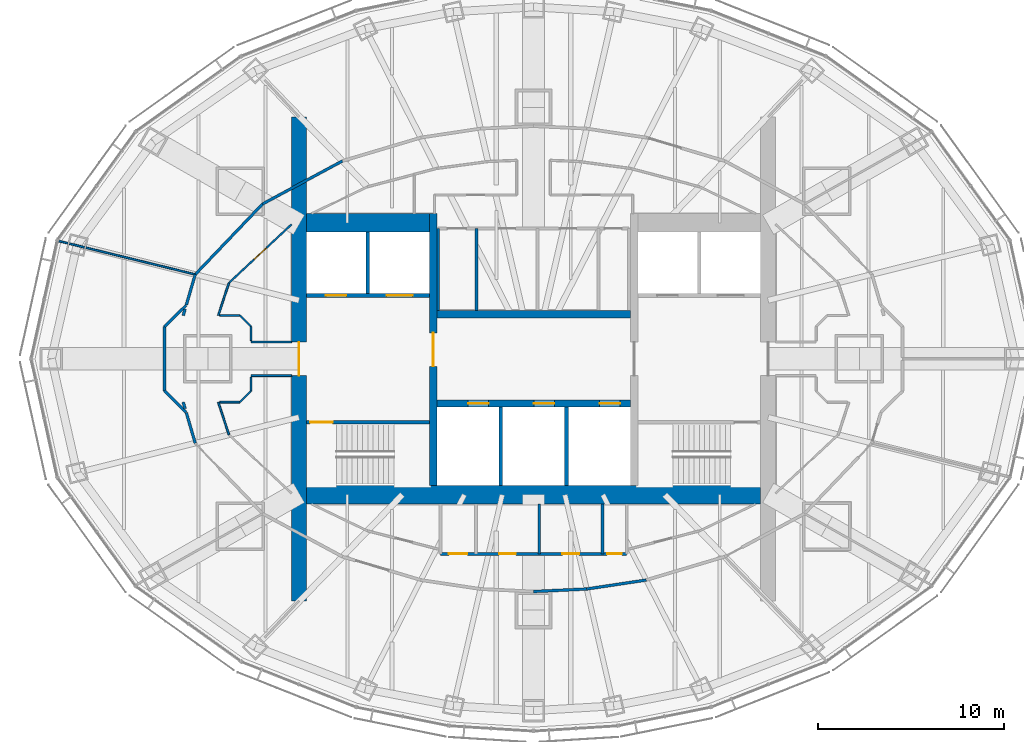
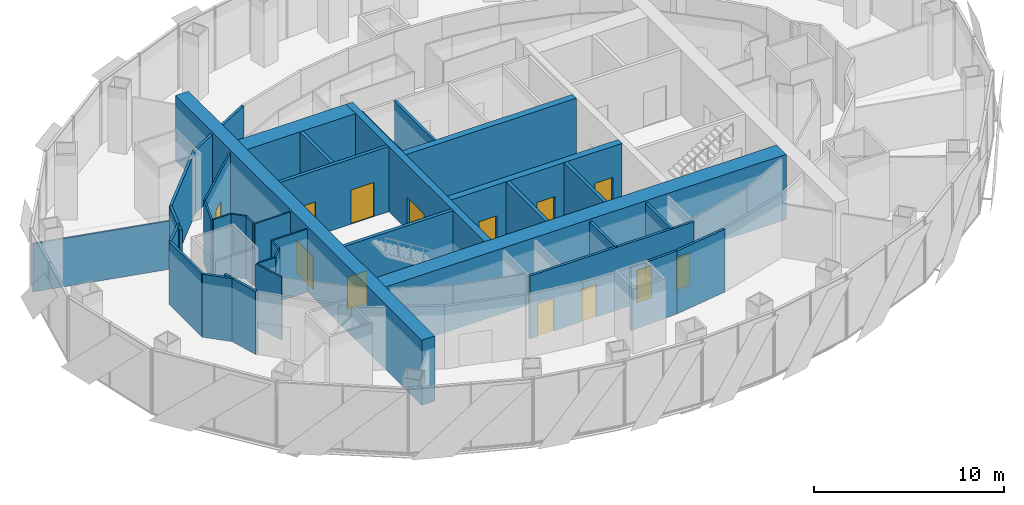
# One storey, part 12 of 17: 39 walls, 13 doors, 13 openings.
"""IFC4 building model written with IfcOpenShell, lengths in metres."""

from ifc_helpers import new_model, si_unit, direction, frame, frame_2d, origin, place, context, subcontext, project, spatial, rectangle, extrude, material, layer, layer_set, type_object, element, fill, save


model = new_model("IFC4")

# Units and contexts
model_context = context("Model", 3, precision=1e-05, world=origin(), true_north=direction((0.0, 1.0)))
body_context = subcontext(model_context, "Body", "Model", "MODEL_VIEW")
ifc_project = project(units=[si_unit("LENGTHUNIT", "METRE"), si_unit("AREAUNIT", "SQUARE_METRE"), si_unit("VOLUMEUNIT", "CUBIC_METRE"), si_unit("PLANEANGLEUNIT", "RADIAN"), si_unit("MASSUNIT", "GRAM", prefix="KILO")], contexts=[model_context])

# Site, building, storey
site_placement = place(None, origin())
site = spatial("IfcSite", under=ifc_project, at=site_placement, CompositionType="ELEMENT")
building_placement = place(site_placement, origin())
building = spatial("IfcBuilding", under=site, at=building_placement, Name="Lantaw Convention Tower", CompositionType="ELEMENT")
storey_placement = place(building_placement, frame((0.0, 0.0, 203.199951171875)))
storey = spatial("IfcBuildingStorey", under=building, at=storey_placement, Name="L47", CompositionType="ELEMENT", Elevation=203.199951171875)

# Walls
ifc_material_1 = material(Name="Concrete C60/75", Category="concrete")
ifc_layer_1 = layer(ifc_material_1, 1.0)
ifc_layer_set_1 = layer_set([ifc_layer_1], Name="Core wall 1000")
wall_type_1 = type_object("IfcWallType", Name="Core wall 1000", PredefinedType="SHEAR", material=ifc_layer_set_1)
wall_1_placement = place(storey_placement, frame((-12.199951171875, -7.300048828125, 0.0), z_axis=(0.0, 0.0, 1.0), x_axis=(1.0, 0.0, 0.0)))
element("IfcWall", 1, at=wall_1_placement, inside=storey, type_object=wall_type_1, Name="Core wall S", PredefinedType="SHEAR", context=body_context, shape_type="SweptSolid", body=[
    extrude(rectangle(XDim=24.39990234375, YDim=1.0, at=frame_2d((12.199951171875, 0.0))), origin(), (0.0, 0.0, 1.0), 4.199951171875),
])
wall_2_placement = place(storey_placement, frame((-5.60009765625, 7.300048828125, 0.0), z_axis=(0.0, 0.0, 1.0), x_axis=(-1.0, 0.0, 0.0)))
element("IfcWall", 2, at=wall_2_placement, inside=storey, type_object=wall_type_1, Name="Core wall NW", PredefinedType="SHEAR", context=body_context, shape_type="SweptSolid", body=[
    extrude(rectangle(XDim=6.599853515625, YDim=1.0, at=frame_2d((3.2998046875, 0.0))), origin(), (0.0, 0.0, 1.0), 4.199951171875),
])

# Wall, opening, door
ifc_layer_2 = layer(ifc_material_1, 0.199951171875)
ifc_layer_set_2 = layer_set([ifc_layer_2], Name="Core wall 200")
wall_type_2 = type_object("IfcWallType", Name="Core wall 200", PredefinedType="SHEAR", material=ifc_layer_set_2)
wall_3_placement = place(storey_placement, frame((-5.60009765625, -3.39990234375, 0.0), z_axis=(0.0, 0.0, 1.0), x_axis=(-1.0, 0.0, 0.0)))
wall_3 = element("IfcWall", 3, at=wall_3_placement, inside=storey, type_object=wall_type_2, Name="Core wall WS", PredefinedType="SHEAR", context=body_context, shape_type="SweptSolid", body=[
    extrude(rectangle(XDim=6.599853515625, YDim=0.199951171875, at=frame_2d((3.2998046875, 0.0))), origin(), (0.0, 0.0, 1.0), 4.199951171875),
])
opening_1_placement = place(wall_3_placement, frame((5.199951171875, 0.0, 0.0)))
opening_1 = element("IfcOpeningElement", 4, at=opening_1_placement, cuts=wall_3, Name="Opening L47.04", PredefinedType="OPENING", context=body_context, shape_type="SweptSolid", body=[
    extrude(rectangle(XDim=1.199951171875, YDim=2.10009765625, at=frame_2d((0.60009765625, 1.050048828125))), frame((0.0, 0.10986328125, 0.0), z_axis=(0.0, -1.0, 0.0), x_axis=(1.0, 0.0, 0.0)), (0.0, 0.0, 1.0), 0.219970703125),
])
ifc_material_2 = material(Name="Steel, fire rated", Category="steel")
door_type_1 = type_object("IfcDoorType", Name="Stair door FD90", OperationType="SINGLE_SWING_RIGHT", PredefinedType="DOOR", material=ifc_material_2)
door_1_placement = place(opening_1_placement, origin())
door_1 = element("IfcDoor", 5, at=door_1_placement, inside=storey, type_object=door_type_1, Name="Exit stair door", OperationType="SINGLE_SWING_RIGHT", OverallHeight=2.10009765625, OverallWidth=1.199951171875, PredefinedType="DOOR", context=body_context, shape_type="SweptSolid", body=[
    extrude(rectangle(XDim=1.199951171875, YDim=2.10009765625, at=frame_2d((0.60009765625, 1.050048828125))), frame((0.0, 0.02490234375, 0.0), z_axis=(0.0, -1.0, 0.0), x_axis=(1.0, 0.0, 0.0)), (0.0, 0.0, 1.0), 0.050048828125),
])
fill(opening_1, door_1)

ifc_layer_3 = layer(ifc_material_1, 0.39990234375)
ifc_layer_set_3 = layer_set([ifc_layer_3], Name="Core wall 400")
wall_type_3 = type_object("IfcWallType", Name="Core wall 400", PredefinedType="SHEAR", material=ifc_layer_set_3)
wall_4_placement = place(storey_placement, frame((-5.39990234375, 7.800048828125, 0.0), z_axis=(0.0, 0.0, 1.0), x_axis=(0.0, -1.0, 0.0)))
wall_4 = element("IfcWall", 6, at=wall_4_placement, inside=storey, type_object=wall_type_3, Name="Core wall XW", PredefinedType="SHEAR", context=body_context, shape_type="SweptSolid", body=[
    extrude(rectangle(XDim=14.60009765625, YDim=0.39990234375, at=frame_2d((7.300048828125, 0.0))), origin(), (0.0, 0.0, 1.0), 4.199951171875),
])
opening_2_placement = place(wall_4_placement, frame((6.39990234375, 0.0, 0.0)))
opening_2 = element("IfcOpeningElement", 7, at=opening_2_placement, cuts=wall_4, Name="Opening L47.02", PredefinedType="OPENING", context=body_context, shape_type="SweptSolid", body=[
    extrude(rectangle(XDim=1.800048828125, YDim=2.10009765625, at=frame_2d((0.89990234375, 1.050048828125))), frame((0.0, 0.2099609375, 0.0), z_axis=(0.0, -1.0, 0.0), x_axis=(1.0, 0.0, 0.0)), (0.0, 0.0, 1.0), 0.419921875),
])
door_type_2 = type_object("IfcDoorType", Name="Lobby double door FD90", OperationType="DOUBLE_DOOR_DOUBLE_SWING", PredefinedType="DOOR", material=ifc_material_2)
door_2_placement = place(opening_2_placement, origin())
door_2 = element("IfcDoor", 8, at=door_2_placement, inside=storey, type_object=door_type_2, Name="Lift lobby door", OperationType="DOUBLE_DOOR_DOUBLE_SWING", OverallHeight=2.10009765625, OverallWidth=1.800048828125, PredefinedType="DOOR", context=body_context, shape_type="SweptSolid", body=[
    extrude(rectangle(XDim=1.800048828125, YDim=2.10009765625, at=frame_2d((0.89990234375, 1.050048828125))), frame((0.0, 0.02490234375, 0.0), z_axis=(0.0, -1.0, 0.0), x_axis=(1.0, 0.0, 0.0)), (0.0, 0.0, 1.0), 0.050048828125),
])
fill(opening_2, door_2)

# Wall, openings, doors
wall_5_placement = place(storey_placement, frame((-5.199951171875, -2.39990234375, 0.0), z_axis=(0.0, 0.0, 1.0), x_axis=(1.0, 0.0, 0.0)))
wall_5 = element("IfcWall", 9, at=wall_5_placement, inside=storey, type_object=wall_type_3, Name="Core wall BS", PredefinedType="SHEAR", context=body_context, shape_type="SweptSolid", body=[
    extrude(rectangle(XDim=10.39990234375, YDim=0.39990234375, at=frame_2d((5.199951171875, 0.0))), origin(), (0.0, 0.0, 1.0), 4.199951171875),
])
opening_3_placement = place(wall_5_placement, frame((1.683349609375, 0.0, 0.0)))
opening_3 = element("IfcOpeningElement", 10, at=opening_3_placement, cuts=wall_5, Name="Opening L47.07", PredefinedType="OPENING", context=body_context, shape_type="SweptSolid", body=[
    extrude(rectangle(XDim=1.10009765625, YDim=2.199951171875, at=frame_2d((0.550048828125, 1.10009765625))), frame((0.0, 0.2099609375, 0.0), z_axis=(0.0, -1.0, 0.0), x_axis=(1.0, 0.0, 0.0)), (0.0, 0.0, 1.0), 0.419921875),
])
opening_4_placement = place(wall_5_placement, frame((5.216796875, 0.0, 0.0)))
opening_4 = element("IfcOpeningElement", 11, at=opening_4_placement, cuts=wall_5, Name="Opening L47.08", PredefinedType="OPENING", context=body_context, shape_type="SweptSolid", body=[
    extrude(rectangle(XDim=1.10009765625, YDim=2.199951171875, at=frame_2d((0.550048828125, 1.10009765625))), frame((0.0, 0.2099609375, 0.0), z_axis=(0.0, -1.0, 0.0), x_axis=(1.0, 0.0, 0.0)), (0.0, 0.0, 1.0), 0.419921875),
])
opening_5_placement = place(wall_5_placement, frame((8.75, 0.0, 0.0)))
opening_5 = element("IfcOpeningElement", 12, at=opening_5_placement, cuts=wall_5, Name="Opening L47.09", PredefinedType="OPENING", context=body_context, shape_type="SweptSolid", body=[
    extrude(rectangle(XDim=1.10009765625, YDim=2.199951171875, at=frame_2d((0.550048828125, 1.10009765625))), frame((0.0, 0.2099609375, 0.0), z_axis=(0.0, -1.0, 0.0), x_axis=(1.0, 0.0, 0.0)), (0.0, 0.0, 1.0), 0.419921875),
])
ifc_material_3 = material(Name="Stainless steel", Category="steel")
door_type_3 = type_object("IfcDoorType", Name="Lift landing door 1100", OperationType="DOUBLE_DOOR_SLIDING", PredefinedType="DOOR", material=ifc_material_3)
door_3_placement = place(opening_3_placement, origin())
door_3 = element("IfcDoor", 13, at=door_3_placement, inside=storey, type_object=door_type_3, Name="Lift landing door S1", OperationType="DOUBLE_DOOR_SLIDING", OverallHeight=2.199951171875, OverallWidth=1.10009765625, PredefinedType="DOOR", context=body_context, shape_type="SweptSolid", body=[
    extrude(rectangle(XDim=1.10009765625, YDim=2.199951171875, at=frame_2d((0.550048828125, 1.10009765625))), frame((0.0, 0.02490234375, 0.0), z_axis=(0.0, -1.0, 0.0), x_axis=(1.0, 0.0, 0.0)), (0.0, 0.0, 1.0), 0.050048828125),
])
fill(opening_3, door_3)
door_4_placement = place(opening_4_placement, origin())
door_4 = element("IfcDoor", 14, at=door_4_placement, inside=storey, type_object=door_type_3, Name="Lift landing door S2", OperationType="DOUBLE_DOOR_SLIDING", OverallHeight=2.199951171875, OverallWidth=1.10009765625, PredefinedType="DOOR", context=body_context, shape_type="SweptSolid", body=[
    extrude(rectangle(XDim=1.10009765625, YDim=2.199951171875, at=frame_2d((0.550048828125, 1.10009765625))), frame((0.0, 0.02490234375, 0.0), z_axis=(0.0, -1.0, 0.0), x_axis=(1.0, 0.0, 0.0)), (0.0, 0.0, 1.0), 0.050048828125),
])
fill(opening_4, door_4)
door_5_placement = place(opening_5_placement, origin())
door_5 = element("IfcDoor", 15, at=door_5_placement, inside=storey, type_object=door_type_3, Name="Lift landing door S3", OperationType="DOUBLE_DOOR_SLIDING", OverallHeight=2.199951171875, OverallWidth=1.10009765625, PredefinedType="DOOR", context=body_context, shape_type="SweptSolid", body=[
    extrude(rectangle(XDim=1.10009765625, YDim=2.199951171875, at=frame_2d((0.550048828125, 1.10009765625))), frame((0.0, 0.02490234375, 0.0), z_axis=(0.0, -1.0, 0.0), x_axis=(1.0, 0.0, 0.0)), (0.0, 0.0, 1.0), 0.050048828125),
])
fill(opening_5, door_5)

# Wall
wall_6_placement = place(storey_placement, frame((5.199951171875, 2.39990234375, 0.0), z_axis=(0.0, 0.0, 1.0), x_axis=(-1.0, 0.0, 0.0)))
element("IfcWall", 16, at=wall_6_placement, inside=storey, type_object=wall_type_3, Name="Core wall BN", PredefinedType="SHEAR", context=body_context, shape_type="SweptSolid", body=[
    extrude(rectangle(XDim=10.39990234375, YDim=0.39990234375, at=frame_2d((5.199951171875, 0.0))), origin(), (0.0, 0.0, 1.0), 4.199951171875),
])

# Wall, opening, door
ifc_layer_4 = layer(ifc_material_1, 0.800048828125)
ifc_layer_set_4 = layer_set([ifc_layer_4], Name="Core wall 800")
wall_type_4 = type_object("IfcWallType", Name="Core wall 800", PredefinedType="SHEAR", material=ifc_layer_set_4)
wall_7_placement = place(storey_placement, frame((-12.60009765625, 13.0, 0.0), z_axis=(0.0, 0.0, 1.0), x_axis=(0.0, -1.0, 0.0)))
wall_7 = element("IfcWall", 17, at=wall_7_placement, inside=storey, type_object=wall_type_4, Name="Core wall W", PredefinedType="SHEAR", context=body_context, shape_type="SweptSolid", body=[
    extrude(rectangle(XDim=26.0, YDim=0.800048828125, at=frame_2d((13.0, 0.0))), origin(), (0.0, 0.0, 1.0), 4.199951171875),
])
opening_6_placement = place(wall_7_placement, frame((12.10009765625, 0.0, 0.0)))
opening_6 = element("IfcOpeningElement", 18, at=opening_6_placement, cuts=wall_7, Name="Opening L47.06", PredefinedType="OPENING", context=body_context, shape_type="SweptSolid", body=[
    extrude(rectangle(XDim=1.800048828125, YDim=2.10009765625, at=frame_2d((0.89990234375, 1.050048828125))), frame((0.0, 0.409912109375, 0.0), z_axis=(0.0, -1.0, 0.0), x_axis=(1.0, 0.0, 0.0)), (0.0, 0.0, 1.0), 0.820068359375),
])
door_6_placement = place(opening_6_placement, origin())
door_6 = element("IfcDoor", 19, at=door_6_placement, inside=storey, type_object=door_type_2, Name="Firefighting lobby door", OperationType="DOUBLE_DOOR_DOUBLE_SWING", OverallHeight=2.10009765625, OverallWidth=1.800048828125, PredefinedType="DOOR", context=body_context, shape_type="SweptSolid", body=[
    extrude(rectangle(XDim=1.800048828125, YDim=2.10009765625, at=frame_2d((0.89990234375, 1.050048828125))), frame((0.0, 0.02490234375, 0.0), z_axis=(0.0, -1.0, 0.0), x_axis=(1.0, 0.0, 0.0)), (0.0, 0.0, 1.0), 0.050048828125),
])
fill(opening_6, door_6)

# Walls
ifc_material_4 = material(Name="Gypsum board on steel studs, fire rated", Category="steel")
ifc_layer_5 = layer(ifc_material_4, 0.14990234375)
ifc_layer_set_5 = layer_set([ifc_layer_5], Name="Corridor wall 150 EI 60")
wall_type_5 = type_object("IfcWallType", Name="Corridor wall 150 EI 60", PredefinedType="PARTITIONING", material=ifc_layer_set_5)
wall_8_placement = place(storey_placement, frame((-10.263671875, 10.62841796875, 0.0), z_axis=(0.0, 0.0, 1.0), x_axis=(-0.88053863253, -0.47397438393, 0.0)))
element("IfcWall", 20, at=wall_8_placement, inside=storey, type_object=wall_type_5, Name="Corridor wall 150", PredefinedType="PARTITIONING", context=body_context, shape_type="SweptSolid", body=[
    extrude(rectangle(XDim=4.874755859375, YDim=0.14990234375, at=frame_2d((2.4375, 0.0))), origin(), (0.0, 0.0, 1.0), 4.050048828125),
])
wall_9_placement = place(storey_placement, frame((-14.55615234375, 8.31787109375, 0.0), z_axis=(0.0, 0.0, 1.0), x_axis=(-0.690768413292, -0.723076067366, 0.0)))
element("IfcWall", 21, at=wall_9_placement, inside=storey, type_object=wall_type_5, Name="Corridor wall 150", PredefinedType="PARTITIONING", context=body_context, shape_type="SweptSolid", body=[
    extrude(rectangle(XDim=5.23681640625, YDim=0.14990234375, at=frame_2d((2.618408203125, 0.0))), origin(), (0.0, 0.0, 1.0), 4.050048828125),
])
wall_10_placement = place(storey_placement, frame((0.0, -12.5, 0.0), z_axis=(0.0, 0.0, 1.0), x_axis=(0.998887574055, 0.047155216016, 0.0)))
element("IfcWall", 22, at=wall_10_placement, inside=storey, type_object=wall_type_5, Name="Corridor wall 150", PredefinedType="PARTITIONING", context=body_context, shape_type="SweptSolid", body=[
    extrude(rectangle(XDim=2.85791015625, YDim=0.14990234375, at=frame_2d((1.428955078125, 0.0))), origin(), (0.0, 0.0, 1.0), 4.050048828125),
])
wall_11_placement = place(storey_placement, frame((2.854736328125, -12.365234375, 0.0), z_axis=(0.0, 0.0, 1.0), x_axis=(0.988800347251, 0.149244340852, 0.0)))
element("IfcWall", 23, at=wall_11_placement, inside=storey, type_object=wall_type_5, Name="Corridor wall 150", PredefinedType="PARTITIONING", context=body_context, shape_type="SweptSolid", body=[
    extrude(rectangle(XDim=3.235595703125, YDim=0.14990234375, at=frame_2d((1.61767578125, 0.0))), origin(), (0.0, 0.0, 1.0), 4.050048828125),
])
for number, where, z_axis, x_axis, name in (
    (24, (-18.173583984375, 4.53125, 0.0), (0.0, 0.0, 1.0), (-0.281027335084, -0.959699763955, 0.0), "Corridor wall 150"),
    (25, (-18.653076171875, -2.893798828125, 0.0), (0.0, 0.0, 1.0), (0.281027335084, -0.959699763955, 0.0), "Corridor wall 150"),
):
    element("IfcWall", number, at=place(storey_placement, frame(where, z_axis=z_axis, x_axis=x_axis)), inside=storey, type_object=wall_type_5, Name=name, PredefinedType="PARTITIONING", context=body_context, shape_type="SweptSolid", body=[
        extrude(rectangle(XDim=1.706298828125, YDim=0.14990234375, at=frame_2d((0.85302734375, 0.0))), origin(), (0.0, 0.0, 1.0), 4.050048828125),
    ])
wall_12_placement = place(storey_placement, frame((-18.666259765625, -2.866455078125, 0.0), z_axis=(0.0, 0.0, 1.0), x_axis=(-0.712265481509, 0.701910167935, 0.0)))
element("IfcWall", 26, at=wall_12_placement, inside=storey, type_object=wall_type_5, Name="Corridor wall 150", PredefinedType="PARTITIONING", context=body_context, shape_type="SweptSolid", body=[
    extrude(rectangle(XDim=1.626708984375, YDim=0.14990234375, at=frame_2d((0.8134765625, 0.0))), origin(), (0.0, 0.0, 1.0), 4.050048828125),
])
wall_13_placement = place(storey_placement, frame((-19.824951171875, -1.724609375, 0.0), z_axis=(0.0, 0.0, 1.0), x_axis=(0.0, 1.0, 0.0)))
element("IfcWall", 27, at=wall_13_placement, inside=storey, type_object=wall_type_5, Name="Corridor wall 150", PredefinedType="PARTITIONING", context=body_context, shape_type="SweptSolid", body=[
    extrude(rectangle(XDim=3.44921875, YDim=0.14990234375, at=frame_2d((1.724609375, 0.0))), origin(), (0.0, 0.0, 1.0), 4.050048828125),
])
wall_14_placement = place(storey_placement, frame((-19.824951171875, 1.724609375, 0.0), z_axis=(0.0, 0.0, 1.0), x_axis=(0.712265481509, 0.701910167935, 0.0)))
element("IfcWall", 28, at=wall_14_placement, inside=storey, type_object=wall_type_5, Name="Corridor wall 150", PredefinedType="PARTITIONING", context=body_context, shape_type="SweptSolid", body=[
    extrude(rectangle(XDim=1.626708984375, YDim=0.14990234375, at=frame_2d((0.8134765625, 0.0))), origin(), (0.0, 0.0, 1.0), 4.050048828125),
])
for number, where, z_axis, x_axis, name in (
    (29, (-18.71728515625, 2.673828125, 0.0), (0.0, 0.0, 1.0), (-0.281366391393, -0.959600413607, 0.0), "Corridor wall 150"),
    (30, (-18.819580078125, -2.324951171875, 0.0), (0.0, 0.0, 1.0), (0.281366391393, -0.959600413607, 0.0), "Corridor wall 150"),
):
    element("IfcWall", number, at=place(storey_placement, frame(where, z_axis=z_axis, x_axis=x_axis)), inside=storey, type_object=wall_type_5, Name=name, PredefinedType="PARTITIONING", context=body_context, shape_type="SweptSolid", body=[
        extrude(rectangle(XDim=0.363525390625, YDim=0.14990234375, at=frame_2d((0.181640625, 0.0))), origin(), (0.0, 0.0, 1.0), 4.050048828125),
    ])
ifc_material_5 = material(Name="Gypsum board on steel studs, acoustic", Category="steel")
ifc_layer_6 = layer(ifc_material_5, 0.10009765625)
ifc_layer_set_6 = layer_set([ifc_layer_6], Name="Office partition 100")
wall_type_6 = type_object("IfcWallType", Name="Office partition 100", PredefinedType="PARTITIONING", material=ifc_layer_set_6)
wall_15_placement = place(storey_placement, frame((-25.542724609375, 6.335693359375, 0.0), z_axis=(0.0, 0.0, 1.0), x_axis=(0.97130474594, -0.237838370569, 0.0)))
element("IfcWall", 31, at=wall_15_placement, inside=storey, type_object=wall_type_6, Name="Office partition 100", PredefinedType="PARTITIONING", context=body_context, shape_type="SweptSolid", body=[
    extrude(rectangle(XDim=7.5869140625, YDim=0.10009765625, at=frame_2d((3.79345703125, 0.0))), origin(), (0.0, 0.0, 1.0), 3.107666015625),
])

# Wall, opening, door
wall_16_placement = place(storey_placement, frame((-16.36279296875, 4.079833984375, 0.0), z_axis=(0.0, 0.0, 1.0), x_axis=(0.730651186567, 0.682750938167, 0.0)))
wall_16 = element("IfcWall", 32, at=wall_16_placement, inside=storey, type_object=wall_type_6, Name="Office partition 100", PredefinedType="PARTITIONING", context=body_context, shape_type="SweptSolid", body=[
    extrude(rectangle(XDim=4.6025390625, YDim=0.10009765625, at=frame_2d((2.30126953125, 0.0))), origin(), (0.0, 0.0, 1.0), 4.050048828125),
])
opening_7_placement = place(wall_16_placement, frame((1.851318359375, 0.0, 0.0)))
opening_7 = element("IfcOpeningElement", 33, at=opening_7_placement, cuts=wall_16, Name="Opening L47.30", PredefinedType="OPENING", context=body_context, shape_type="SweptSolid", body=[
    extrude(rectangle(XDim=0.89990234375, YDim=2.10009765625, at=frame_2d((0.449951171875, 1.050048828125))), frame((0.0, 0.06005859375, 0.0), z_axis=(0.0, -1.0, 0.0), x_axis=(1.0, 0.0, 0.0)), (0.0, 0.0, 1.0), 0.1201171875),
])
ifc_material_6 = material(Name="Timber", Category="wood")
door_type_4 = type_object("IfcDoorType", Name="Office door 900", OperationType="SINGLE_SWING_LEFT", PredefinedType="DOOR", material=ifc_material_6)
door_7_placement = place(opening_7_placement, origin())
door_7 = element("IfcDoor", 34, at=door_7_placement, inside=storey, type_object=door_type_4, Name="Meeting room door", OperationType="SINGLE_SWING_LEFT", OverallHeight=2.10009765625, OverallWidth=0.89990234375, PredefinedType="DOOR", context=body_context, shape_type="SweptSolid", body=[
    extrude(rectangle(XDim=0.89990234375, YDim=2.10009765625, at=frame_2d((0.449951171875, 1.050048828125))), frame((0.0, 0.02490234375, 0.0), z_axis=(0.0, -1.0, 0.0), x_axis=(1.0, 0.0, 0.0)), (0.0, 0.0, 1.0), 0.050048828125),
])
fill(opening_7, door_7)

# Walls
wall_17_placement = place(storey_placement, frame((-16.36279296875, -4.079833984375, 0.0), z_axis=(0.0, 0.0, 1.0), x_axis=(-0.311517212063, 0.950240509865, 0.0)))
element("IfcWall", 35, at=wall_17_placement, inside=storey, type_object=wall_type_6, Name="Office partition 100", PredefinedType="PARTITIONING", context=body_context, shape_type="SweptSolid", body=[
    extrude(rectangle(XDim=1.836181640625, YDim=0.10009765625, at=frame_2d((0.91796875, 0.0))), origin(), (0.0, 0.0, 1.0), 4.050048828125),
])
for number, where, z_axis, x_axis, name in (
    (36, (-15.1650390625, -0.89990234375, 0.0), (0.0, 0.0, 1.0), (1.0, 0.0, 0.0), "Office partition 100"),
    (37, (-13.0, 0.89990234375, 0.0), (0.0, 0.0, 1.0), (-1.0, 0.0, 0.0), "Office partition 100"),
):
    element("IfcWall", number, at=place(storey_placement, frame(where, z_axis=z_axis, x_axis=x_axis)), inside=storey, type_object=wall_type_6, Name=name, PredefinedType="PARTITIONING", context=body_context, shape_type="SweptSolid", body=[
        extrude(rectangle(XDim=2.1650390625, YDim=0.10009765625, at=frame_2d((1.08251953125, 0.0))), origin(), (0.0, 0.0, 1.0), 4.050048828125),
    ])
wall_18_placement = place(storey_placement, frame((-16.934814453125, 2.3349609375, 0.0), z_axis=(0.0, 0.0, 1.0), x_axis=(0.311517212063, 0.950240509865, 0.0)))
element("IfcWall", 38, at=wall_18_placement, inside=storey, type_object=wall_type_6, Name="Office partition 100", PredefinedType="PARTITIONING", context=body_context, shape_type="SweptSolid", body=[
    extrude(rectangle(XDim=1.836181640625, YDim=0.10009765625, at=frame_2d((0.91796875, 0.0))), origin(), (0.0, 0.0, 1.0), 4.050048828125),
])
wall_19_placement = place(storey_placement, frame((-15.175048828125, -0.978271484375, 0.0), z_axis=(0.0, 0.0, 1.0), x_axis=(0.0, -1.0, 0.0)))
element("IfcWall", 39, at=wall_19_placement, inside=storey, type_object=wall_type_6, Name="Office partition 100", PredefinedType="PARTITIONING", context=body_context, shape_type="SweptSolid", body=[
    extrude(rectangle(XDim=0.746337890625, YDim=0.10009765625, at=frame_2d((0.373046875, 0.0))), origin(), (0.0, 0.0, 1.0), 4.050048828125),
])
wall_20_placement = place(storey_placement, frame((-15.175048828125, -1.724609375, 0.0), z_axis=(0.0, 0.0, 1.0), x_axis=(-0.707106781187, -0.707106781187, 0.0)))
element("IfcWall", 40, at=wall_20_placement, inside=storey, type_object=wall_type_6, Name="Office partition 100", PredefinedType="PARTITIONING", context=body_context, shape_type="SweptSolid", body=[
    extrude(rectangle(XDim=0.84912109375, YDim=0.10009765625, at=frame_2d((0.424560546875, 0.0))), origin(), (0.0, 0.0, 1.0), 4.050048828125),
])
for number, where, z_axis, x_axis, name in (
    (41, (-15.775390625, -2.324951171875, 0.0), (0.0, 0.0, 1.0), (-1.0, 0.0, 0.0), "Office partition 100"),
    (42, (-16.853759765625, 2.324951171875, 0.0), (0.0, 0.0, 1.0), (1.0, 0.0, 0.0), "Office partition 100"),
):
    element("IfcWall", number, at=place(storey_placement, frame(where, z_axis=z_axis, x_axis=x_axis)), inside=storey, type_object=wall_type_6, Name=name, PredefinedType="PARTITIONING", context=body_context, shape_type="SweptSolid", body=[
        extrude(rectangle(XDim=1.078369140625, YDim=0.10009765625, at=frame_2d((0.5390625, 0.0))), origin(), (0.0, 0.0, 1.0), 4.050048828125),
    ])
wall_21_placement = place(storey_placement, frame((-15.775390625, 2.324951171875, 0.0), z_axis=(0.0, 0.0, 1.0), x_axis=(0.707106781187, -0.707106781187, 0.0)))
element("IfcWall", 43, at=wall_21_placement, inside=storey, type_object=wall_type_6, Name="Office partition 100", PredefinedType="PARTITIONING", context=body_context, shape_type="SweptSolid", body=[
    extrude(rectangle(XDim=0.84912109375, YDim=0.10009765625, at=frame_2d((0.424560546875, 0.0))), origin(), (0.0, 0.0, 1.0), 4.050048828125),
])
wall_22_placement = place(storey_placement, frame((-15.175048828125, 1.724609375, 0.0), z_axis=(0.0, 0.0, 1.0), x_axis=(0.0, -1.0, 0.0)))
element("IfcWall", 44, at=wall_22_placement, inside=storey, type_object=wall_type_6, Name="Office partition 100", PredefinedType="PARTITIONING", context=body_context, shape_type="SweptSolid", body=[
    extrude(rectangle(XDim=0.746337890625, YDim=0.10009765625, at=frame_2d((0.373046875, 0.0))), origin(), (0.0, 0.0, 1.0), 4.050048828125),
])

# Wall, openings, doors
ifc_material_7 = material(Name="Concrete blockwork, fire rated", Category="masonry")
ifc_layer_7 = layer(ifc_material_7, 0.199951171875)
ifc_layer_set_7 = layer_set([ifc_layer_7], Name="Shaft wall 200")
wall_type_7 = type_object("IfcWallType", Name="Shaft wall 200", PredefinedType="SOLIDWALL", material=ifc_layer_set_7)
wall_23_placement = place(storey_placement, frame((-12.199951171875, 3.39990234375, 0.0), z_axis=(0.0, 0.0, 1.0), x_axis=(1.0, 0.0, 0.0)))
wall_23 = element("IfcWall", 45, at=wall_23_placement, inside=storey, type_object=wall_type_7, Name="Shaft wall WN", PredefinedType="SOLIDWALL", context=body_context, shape_type="SweptSolid", body=[
    extrude(rectangle(XDim=6.599853515625, YDim=0.199951171875, at=frame_2d((3.2998046875, 0.0))), origin(), (0.0, 0.0, 1.0), 4.199951171875),
])
opening_8_placement = place(wall_23_placement, frame((1.050048828125, 0.0, 0.0)))
opening_8 = element("IfcOpeningElement", 46, at=opening_8_placement, cuts=wall_23, Name="Opening L47.10", PredefinedType="OPENING", context=body_context, shape_type="SweptSolid", body=[
    extrude(rectangle(XDim=1.10009765625, YDim=2.199951171875, at=frame_2d((0.550048828125, 1.10009765625))), frame((0.0, 0.10986328125, 0.0), z_axis=(0.0, -1.0, 0.0), x_axis=(1.0, 0.0, 0.0)), (0.0, 0.0, 1.0), 0.219970703125),
])
opening_9_placement = place(wall_23_placement, frame((4.300048828125, 0.0, 0.0)))
opening_9 = element("IfcOpeningElement", 47, at=opening_9_placement, cuts=wall_23, Name="Opening L47.11", PredefinedType="OPENING", context=body_context, shape_type="SweptSolid", body=[
    extrude(rectangle(XDim=1.39990234375, YDim=2.199951171875, at=frame_2d((0.699951171875, 1.10009765625))), frame((0.0, 0.10986328125, 0.0), z_axis=(0.0, -1.0, 0.0), x_axis=(1.0, 0.0, 0.0)), (0.0, 0.0, 1.0), 0.219970703125),
])
door_8_placement = place(opening_8_placement, origin())
door_8 = element("IfcDoor", 48, at=door_8_placement, inside=storey, type_object=door_type_3, Name="Lift landing door FF1", OperationType="DOUBLE_DOOR_SLIDING", OverallHeight=2.199951171875, OverallWidth=1.10009765625, PredefinedType="DOOR", context=body_context, shape_type="SweptSolid", body=[
    extrude(rectangle(XDim=1.10009765625, YDim=2.199951171875, at=frame_2d((0.550048828125, 1.10009765625))), frame((0.0, 0.02490234375, 0.0), z_axis=(0.0, -1.0, 0.0), x_axis=(1.0, 0.0, 0.0)), (0.0, 0.0, 1.0), 0.050048828125),
])
fill(opening_8, door_8)
door_type_5 = type_object("IfcDoorType", Name="Lift landing door 1400", OperationType="DOUBLE_DOOR_SLIDING", PredefinedType="DOOR", material=ifc_material_3)
door_9_placement = place(opening_9_placement, origin())
door_9 = element("IfcDoor", 49, at=door_9_placement, inside=storey, type_object=door_type_5, Name="Lift landing door SV1", OperationType="DOUBLE_DOOR_SLIDING", OverallHeight=2.199951171875, OverallWidth=1.39990234375, PredefinedType="DOOR", context=body_context, shape_type="SweptSolid", body=[
    extrude(rectangle(XDim=1.39990234375, YDim=2.199951171875, at=frame_2d((0.699951171875, 1.10009765625))), frame((0.0, 0.02490234375, 0.0), z_axis=(0.0, -1.0, 0.0), x_axis=(1.0, 0.0, 0.0)), (0.0, 0.0, 1.0), 0.050048828125),
])
fill(opening_9, door_9)

# Walls
wall_24_placement = place(storey_placement, frame((-8.89990234375, 3.5, 0.0), z_axis=(0.0, 0.0, 1.0), x_axis=(0.0, 1.0, 0.0)))
element("IfcWall", 50, at=wall_24_placement, inside=storey, type_object=wall_type_7, Name="Shaft wall WD", PredefinedType="SOLIDWALL", context=body_context, shape_type="SweptSolid", body=[
    extrude(rectangle(XDim=3.300048828125, YDim=0.199951171875, at=frame_2d((1.64990234375, 0.0))), origin(), (0.0, 0.0, 1.0), 4.199951171875),
])
ifc_layer_8 = layer(ifc_material_7, 0.199951171875)
ifc_layer_set_8 = layer_set([ifc_layer_8], Name="Shaft wall 200 load-bearing")
wall_type_8 = type_object("IfcWallType", Name="Shaft wall 200 load-bearing", PredefinedType="SOLIDWALL", material=ifc_layer_set_8)
for number, where, z_axis, x_axis, name in (
    (51, (-1.7666015625, -2.60009765625, 0.0), (0.0, 0.0, 1.0), (0.0, -1.0, 0.0), "Shaft wall DS1"),
    (52, (1.7666015625, -2.60009765625, 0.0), (0.0, 0.0, 1.0), (0.0, -1.0, 0.0), "Shaft wall DS2"),
):
    element("IfcWall", number, at=place(storey_placement, frame(where, z_axis=z_axis, x_axis=x_axis)), inside=storey, type_object=wall_type_8, Name=name, PredefinedType="SOLIDWALL", context=body_context, shape_type="SweptSolid", body=[
        extrude(rectangle(XDim=4.199951171875, YDim=0.199951171875, at=frame_2d((2.10009765625, 0.0))), origin(), (0.0, 0.0, 1.0), 4.199951171875),
    ])
ifc_material_8 = material(Name="Concrete blockwork", Category="masonry")
ifc_layer_9 = layer(ifc_material_8, 0.14990234375)
ifc_layer_set_9 = layer_set([ifc_layer_9], Name="WC wall 150")
wall_type_9 = type_object("IfcWallType", Name="WC wall 150", PredefinedType="SOLIDWALL", material=ifc_layer_set_9)
for number, where, z_axis, x_axis, name in (
    (53, (-5.1201171875, 2.60009765625, 0.0), (0.0, 0.0, 1.0), (0.0, 1.0, 0.0), "WC wall 150"),
    (54, (-3.072021484375, 2.60009765625, 0.0), (0.0, 0.0, 1.0), (0.0, 1.0, 0.0), "WC wall 150"),
):
    element("IfcWall", number, at=place(storey_placement, frame(where, z_axis=z_axis, x_axis=x_axis)), inside=storey, type_object=wall_type_9, Name=name, PredefinedType="SOLIDWALL", context=body_context, shape_type="SweptSolid", body=[
        extrude(rectangle(XDim=4.39990234375, YDim=0.14990234375, at=frame_2d((2.199951171875, 0.0))), origin(), (0.0, 0.0, 1.0), 4.050048828125),
    ])

# Wall, openings, doors
wall_25_placement = place(storey_placement, frame((-5.0, -10.48193359375, 0.0), z_axis=(0.0, 0.0, 1.0), x_axis=(1.0, 0.0, 0.0)))
wall_25 = element("IfcWall", 55, at=wall_25_placement, inside=storey, type_object=wall_type_9, Name="WC wall 150", PredefinedType="SOLIDWALL", context=body_context, shape_type="SweptSolid", body=[
    extrude(rectangle(XDim=10.0, YDim=0.14990234375, at=frame_2d((5.0, 0.0))), origin(), (0.0, 0.0, 1.0), 4.050048828125),
])
opening_10_placement = place(wall_25_placement, frame((0.449951171875, 0.0, 0.0)))
opening_10 = element("IfcOpeningElement", 56, at=opening_10_placement, cuts=wall_25, Name="Opening L47.18", PredefinedType="OPENING", context=body_context, shape_type="SweptSolid", body=[
    extrude(rectangle(XDim=1.0, YDim=2.10009765625, at=frame_2d((0.5, 1.050048828125))), frame((0.0, 0.0849609375, 0.0), z_axis=(0.0, -1.0, 0.0), x_axis=(1.0, 0.0, 0.0)), (0.0, 0.0, 1.0), 0.169921875),
])
opening_11_placement = place(wall_25_placement, frame((3.14990234375, 0.0, 0.0)))
opening_11 = element("IfcOpeningElement", 57, at=opening_11_placement, cuts=wall_25, Name="Opening L47.19", PredefinedType="OPENING", context=body_context, shape_type="SweptSolid", body=[
    extrude(rectangle(XDim=0.89990234375, YDim=2.10009765625, at=frame_2d((0.449951171875, 1.050048828125))), frame((0.0, 0.0849609375, 0.0), z_axis=(0.0, -1.0, 0.0), x_axis=(1.0, 0.0, 0.0)), (0.0, 0.0, 1.0), 0.169921875),
])
opening_12_placement = place(wall_25_placement, frame((6.550048828125, 0.0, 0.0)))
opening_12 = element("IfcOpeningElement", 58, at=opening_12_placement, cuts=wall_25, Name="Opening L47.20", PredefinedType="OPENING", context=body_context, shape_type="SweptSolid", body=[
    extrude(rectangle(XDim=0.89990234375, YDim=2.10009765625, at=frame_2d((0.449951171875, 1.050048828125))), frame((0.0, 0.0849609375, 0.0), z_axis=(0.0, -1.0, 0.0), x_axis=(1.0, 0.0, 0.0)), (0.0, 0.0, 1.0), 0.169921875),
])
opening_13_placement = place(wall_25_placement, frame((8.949951171875, 0.0, 0.0)))
opening_13 = element("IfcOpeningElement", 59, at=opening_13_placement, cuts=wall_25, Name="Opening L47.21", PredefinedType="OPENING", context=body_context, shape_type="SweptSolid", body=[
    extrude(rectangle(XDim=0.800048828125, YDim=2.10009765625, at=frame_2d((0.39990234375, 1.050048828125))), frame((0.0, 0.0849609375, 0.0), z_axis=(0.0, -1.0, 0.0), x_axis=(1.0, 0.0, 0.0)), (0.0, 0.0, 1.0), 0.169921875),
])
door_type_6 = type_object("IfcDoorType", Name="Accessible WC door 1000", OperationType="SINGLE_SWING_LEFT", PredefinedType="DOOR", material=ifc_material_6)
door_10_placement = place(opening_10_placement, origin())
door_10 = element("IfcDoor", 60, at=door_10_placement, inside=storey, type_object=door_type_6, Name="Accessible WC door", OperationType="SINGLE_SWING_LEFT", OverallHeight=2.10009765625, OverallWidth=1.0, PredefinedType="DOOR", context=body_context, shape_type="SweptSolid", body=[
    extrude(rectangle(XDim=1.0, YDim=2.10009765625, at=frame_2d((0.5, 1.050048828125))), frame((0.0, 0.02490234375, 0.0), z_axis=(0.0, -1.0, 0.0), x_axis=(1.0, 0.0, 0.0)), (0.0, 0.0, 1.0), 0.050048828125),
])
fill(opening_10, door_10)
door_type_7 = type_object("IfcDoorType", Name="WC door 800", OperationType="SINGLE_SWING_LEFT", PredefinedType="DOOR", material=ifc_material_6)
door_11_placement = place(opening_13_placement, origin())
door_11 = element("IfcDoor", 61, at=door_11_placement, inside=storey, type_object=door_type_7, Name="Pantry door", OperationType="SINGLE_SWING_LEFT", OverallHeight=2.10009765625, OverallWidth=0.800048828125, PredefinedType="DOOR", context=body_context, shape_type="SweptSolid", body=[
    extrude(rectangle(XDim=0.800048828125, YDim=2.10009765625, at=frame_2d((0.39990234375, 1.050048828125))), frame((0.0, 0.02490234375, 0.0), z_axis=(0.0, -1.0, 0.0), x_axis=(1.0, 0.0, 0.0)), (0.0, 0.0, 1.0), 0.050048828125),
])
fill(opening_13, door_11)
door_type_8 = type_object("IfcDoorType", Name="WC door 900", OperationType="SINGLE_SWING_LEFT", PredefinedType="DOOR", material=ifc_material_6)
door_12_placement = place(opening_11_placement, origin())
door_12 = element("IfcDoor", 62, at=door_12_placement, inside=storey, type_object=door_type_8, Name="Male WC door", OperationType="SINGLE_SWING_LEFT", OverallHeight=2.10009765625, OverallWidth=0.89990234375, PredefinedType="DOOR", context=body_context, shape_type="SweptSolid", body=[
    extrude(rectangle(XDim=0.89990234375, YDim=2.10009765625, at=frame_2d((0.449951171875, 1.050048828125))), frame((0.0, 0.02490234375, 0.0), z_axis=(0.0, -1.0, 0.0), x_axis=(1.0, 0.0, 0.0)), (0.0, 0.0, 1.0), 0.050048828125),
])
fill(opening_11, door_12)
door_13_placement = place(opening_12_placement, origin())
door_13 = element("IfcDoor", 63, at=door_13_placement, inside=storey, type_object=door_type_8, Name="Female WC door", OperationType="SINGLE_SWING_LEFT", OverallHeight=2.10009765625, OverallWidth=0.89990234375, PredefinedType="DOOR", context=body_context, shape_type="SweptSolid", body=[
    extrude(rectangle(XDim=0.89990234375, YDim=2.10009765625, at=frame_2d((0.449951171875, 1.050048828125))), frame((0.0, 0.02490234375, 0.0), z_axis=(0.0, -1.0, 0.0), x_axis=(1.0, 0.0, 0.0)), (0.0, 0.0, 1.0), 0.050048828125),
])
fill(opening_12, door_13)

# Walls
for number, where, z_axis, x_axis, name in (
    (64, (0.300048828125, -7.800048828125, 0.0), (0.0, 0.0, 1.0), (0.0, -1.0, 0.0), "WC wall 150"),
    (65, (3.699951171875, -7.800048828125, 0.0), (0.0, 0.0, 1.0), (0.0, -1.0, 0.0), "WC wall 150"),
):
    element("IfcWall", number, at=place(storey_placement, frame(where, z_axis=z_axis, x_axis=x_axis)), inside=storey, type_object=wall_type_9, Name=name, PredefinedType="SOLIDWALL", context=body_context, shape_type="SweptSolid", body=[
        extrude(rectangle(XDim=2.681884765625, YDim=0.14990234375, at=frame_2d((1.3408203125, 0.0))), origin(), (0.0, 0.0, 1.0), 4.050048828125),
    ])

save(model, "model.ifc")
